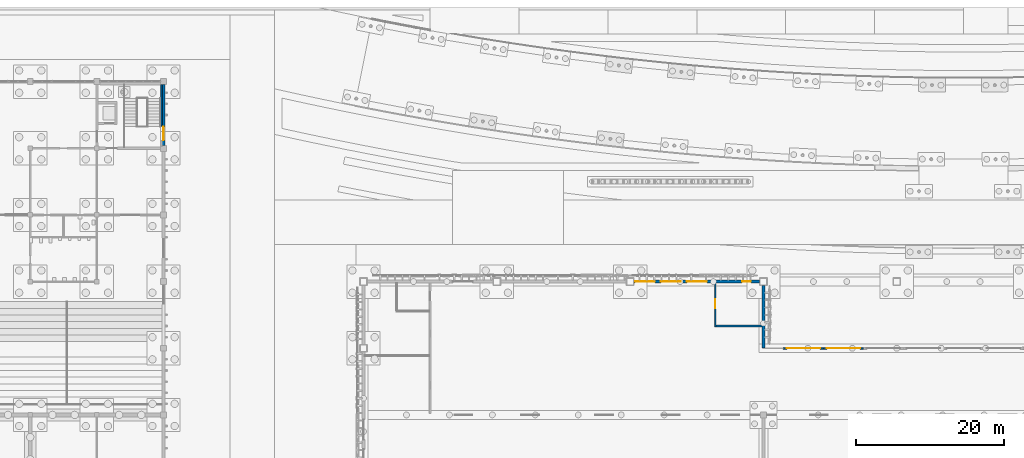
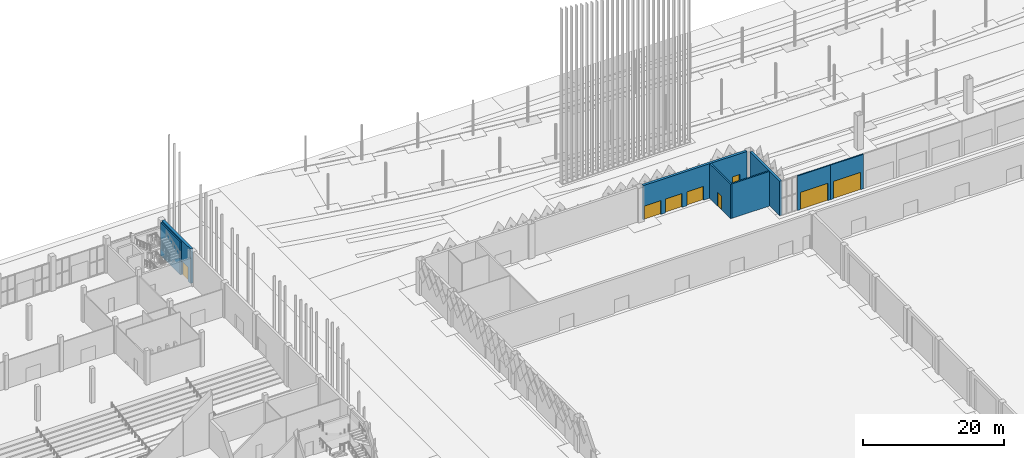
# One storey, part 94 of 198: 8 doors, 8 walls, 8 openings.
"""IFC4 building model written with IfcOpenShell, lengths in metres."""

from ifc_helpers import new_model, si_unit, direction, frame, frame_2d, origin, place, context, subcontext, project, spatial, rectangle, extrude, material, layer, layer_set, type_object, element, fill, save


model = new_model("IFC4")

# Units and contexts
model_context = context("Model", 3, precision=1e-05, world=origin(), true_north=direction((0.0, 1.0)))
body_context = subcontext(model_context, "Body", "Model", "MODEL_VIEW")
ifc_project = project(units=[si_unit("LENGTHUNIT", "METRE"), si_unit("AREAUNIT", "SQUARE_METRE"), si_unit("VOLUMEUNIT", "CUBIC_METRE"), si_unit("PLANEANGLEUNIT", "RADIAN"), si_unit("MASSUNIT", "GRAM", prefix="KILO")], contexts=[model_context])

# Site, building, storey
site_placement = place(None, origin())
site = spatial("IfcSite", under=ifc_project, at=site_placement, CompositionType="ELEMENT")
building_placement = place(site_placement, origin())
building = spatial("IfcBuilding", under=site, at=building_placement, Name="Opaline Strait Convention Centre", CompositionType="ELEMENT")
storey_placement = place(building_placement, origin())
storey = spatial("IfcBuildingStorey", under=building, at=storey_placement, Name="L00", CompositionType="ELEMENT", Elevation=0.0)

# Wall, opening, door
ifc_material_1 = material(Name="Aluminium framed glazing", Category="aluminium")
ifc_layer_1 = layer(ifc_material_1, 0.199951171875)
ifc_layer_set_1 = layer_set([ifc_layer_1], Name="Aluminium framed glazing")
wall_type_1 = type_object("IfcWallType", Name="Entrance frame wall 200", PredefinedType="STANDARD", material=ifc_layer_set_1)
wall_1_placement = place(storey_placement, frame((155.699951171875, 144.0, 0.0), z_axis=(0.0, 0.0, 1.0), x_axis=(1.0, 0.0, 0.0)))
wall_1 = element("IfcWall", 1, at=wall_1_placement, inside=storey, type_object=wall_type_1, Name="Entrance bay 1", PredefinedType="STANDARD", context=body_context, shape_type="SweptSolid", body=[
    extrude(rectangle(XDim=5.400146484375, YDim=0.199951171875, at=frame_2d((2.7001953125, 0.0))), origin(), (0.0, 0.0, 1.0), 6.0),
])
opening_1_placement = place(wall_1_placement, frame((0.449951171875, 0.0, 0.0)))
opening_1 = element("IfcOpeningElement", 2, at=opening_1_placement, cuts=wall_1, Name="Opening X0-001", PredefinedType="OPENING", context=body_context, shape_type="SweptSolid", body=[
    extrude(rectangle(XDim=4.5, YDim=3.0, at=frame_2d((2.25, 1.5))), frame((0.0, 0.10986328125, 0.0), z_axis=(0.0, -1.0, 0.0), x_axis=(1.0, 0.0, 0.0)), (0.0, 0.0, 1.0), 0.219970703125),
])
door_type_1 = type_object("IfcDoorType", Name="Automatic sliding entrance pair 4500 x 3000", OperationType="DOUBLE_DOOR_SLIDING", PredefinedType="DOOR", material=ifc_material_1)
door_1_placement = place(opening_1_placement, origin())
door_1 = element("IfcDoor", 3, at=door_1_placement, inside=storey, type_object=door_type_1, Name="Entrance sliding door 1", ObjectType="XD17", OperationType="DOUBLE_DOOR_SLIDING", OverallHeight=3.0, OverallWidth=4.5, PredefinedType="DOOR", context=body_context, shape_type="SweptSolid", body=[
    extrude(rectangle(XDim=4.5, YDim=3.0, at=frame_2d((2.25, 1.5))), frame((0.0, 0.02490234375, 0.0), z_axis=(0.0, -1.0, 0.0), x_axis=(1.0, 0.0, 0.0)), (0.0, 0.0, 1.0), 0.050048828125),
])
fill(opening_1, door_1)

wall_2_placement = place(storey_placement, frame((161.10009765625, 144.0, 0.0), z_axis=(0.0, 0.0, 1.0), x_axis=(1.0, 0.0, 0.0)))
wall_2 = element("IfcWall", 4, at=wall_2_placement, inside=storey, type_object=wall_type_1, Name="Entrance bay 2", PredefinedType="STANDARD", context=body_context, shape_type="SweptSolid", body=[
    extrude(rectangle(XDim=5.39990234375, YDim=0.199951171875, at=frame_2d((2.699951171875, 0.0))), origin(), (0.0, 0.0, 1.0), 6.0),
])
opening_2_placement = place(wall_2_placement, frame((0.449951171875, 0.0, 0.0)))
opening_2 = element("IfcOpeningElement", 5, at=opening_2_placement, cuts=wall_2, Name="Opening X0-002", PredefinedType="OPENING", context=body_context, shape_type="SweptSolid", body=[
    extrude(rectangle(XDim=4.5, YDim=3.0, at=frame_2d((2.25, 1.5))), frame((0.0, 0.10986328125, 0.0), z_axis=(0.0, -1.0, 0.0), x_axis=(1.0, 0.0, 0.0)), (0.0, 0.0, 1.0), 0.219970703125),
])
door_2_placement = place(opening_2_placement, origin())
door_2 = element("IfcDoor", 6, at=door_2_placement, inside=storey, type_object=door_type_1, Name="Entrance sliding door 2", ObjectType="XD17", OperationType="DOUBLE_DOOR_SLIDING", OverallHeight=3.0, OverallWidth=4.5, PredefinedType="DOOR", context=body_context, shape_type="SweptSolid", body=[
    extrude(rectangle(XDim=4.5, YDim=3.0, at=frame_2d((2.25, 1.5))), frame((0.0, 0.02490234375, 0.0), z_axis=(0.0, -1.0, 0.0), x_axis=(1.0, 0.0, 0.0)), (0.0, 0.0, 1.0), 0.050048828125),
])
fill(opening_2, door_2)

# Wall, openings, doors
ifc_material_2 = material(Name="Concrete C40", Category="concrete")
ifc_layer_2 = layer(ifc_material_2, 0.300048828125)
ifc_material_3 = material(Name="Mineral wool insulation")
ifc_layer_3 = layer(ifc_material_3, 0.050048828125)
ifc_material_4 = material(Name="Gypsum board lining")
ifc_layer_4 = layer(ifc_material_4, 0.050048828125)
ifc_layer_set_2 = layer_set([ifc_layer_2, ifc_layer_3, ifc_layer_4], Name="Concrete C40, Mineral wool insulation, Gypsum board lining")
wall_type_2 = type_object("IfcWallType", Name="External wall RC 400 stair core", PredefinedType="SOLIDWALL", material=ifc_layer_set_2)
wall_3_placement = place(storey_placement, frame((135.5, 153.0, 0.0), z_axis=(0.0, 0.0, 1.0), x_axis=(1.0, 0.0, 0.0)))
wall_3 = element("IfcWall", 7, at=wall_3_placement, inside=storey, type_object=wall_type_2, Name="External wall N3", PredefinedType="SOLIDWALL", context=body_context, shape_type="SweptSolid", body=[
    extrude(rectangle(XDim=17.0, YDim=0.39990234375, at=frame_2d((8.5, 0.0))), origin(), (0.0, 0.0, 1.0), 6.0),
])
opening_3_placement = place(wall_3_placement, frame((0.14990234375, 0.0, 0.0)))
opening_3 = element("IfcOpeningElement", 8, at=opening_3_placement, cuts=wall_3, Name="Opening X0-054", PredefinedType="OPENING", context=body_context, shape_type="SweptSolid", body=[
    extrude(rectangle(XDim=2.699951171875, YDim=2.39990234375, at=frame_2d((1.35009765625, 1.199951171875))), frame((0.0, 0.2099609375, 0.0), z_axis=(0.0, -1.0, 0.0), x_axis=(1.0, 0.0, 0.0)), (0.0, 0.0, 1.0), 0.419921875),
])
opening_4_placement = place(wall_3_placement, frame((3.64990234375, 0.0, 0.0)))
opening_4 = element("IfcOpeningElement", 9, at=opening_4_placement, cuts=wall_3, Name="Opening X0-055", PredefinedType="OPENING", context=body_context, shape_type="SweptSolid", body=[
    extrude(rectangle(XDim=2.699951171875, YDim=2.39990234375, at=frame_2d((1.35009765625, 1.199951171875))), frame((0.0, 0.2099609375, 0.0), z_axis=(0.0, -1.0, 0.0), x_axis=(1.0, 0.0, 0.0)), (0.0, 0.0, 1.0), 0.419921875),
])
opening_5_placement = place(wall_3_placement, frame((7.14990234375, 0.0, 0.0)))
opening_5 = element("IfcOpeningElement", 10, at=opening_5_placement, cuts=wall_3, Name="Opening X0-056", PredefinedType="OPENING", context=body_context, shape_type="SweptSolid", body=[
    extrude(rectangle(XDim=2.699951171875, YDim=2.39990234375, at=frame_2d((1.35009765625, 1.199951171875))), frame((0.0, 0.2099609375, 0.0), z_axis=(0.0, -1.0, 0.0), x_axis=(1.0, 0.0, 0.0)), (0.0, 0.0, 1.0), 0.419921875),
])
opening_6_placement = place(wall_3_placement, frame((14.612548828125, 0.0, 0.0)))
opening_6 = element("IfcOpeningElement", 11, at=opening_6_placement, cuts=wall_3, Name="Opening X0-110", PredefinedType="OPENING", context=body_context, shape_type="SweptSolid", body=[
    extrude(rectangle(XDim=1.199951171875, YDim=2.39990234375, at=frame_2d((0.60009765625, 1.199951171875))), frame((0.0, 0.2099609375, 0.0), z_axis=(0.0, -1.0, 0.0), x_axis=(1.0, 0.0, 0.0)), (0.0, 0.0, 1.0), 0.419921875),
])
ifc_material_5 = material(Name="Steel Q235B", Category="steel")
door_type_2 = type_object("IfcDoorType", Name="Control room door FD90 1200 x 2400", OperationType="SINGLE_SWING_LEFT", PredefinedType="DOOR", material=ifc_material_5)
door_3_placement = place(opening_6_placement, origin())
door_3 = element("IfcDoor", 12, at=door_3_placement, inside=storey, type_object=door_type_2, Name="Fire Control Room door to outside", ObjectType="XD14", OperationType="SINGLE_SWING_RIGHT", OverallHeight=2.39990234375, OverallWidth=1.199951171875, PredefinedType="DOOR", context=body_context, shape_type="SweptSolid", body=[
    extrude(rectangle(XDim=1.199951171875, YDim=2.39990234375, at=frame_2d((0.60009765625, 1.199951171875))), frame((0.0, 0.02490234375, 0.0), z_axis=(0.0, -1.0, 0.0), x_axis=(1.0, 0.0, 0.0)), (0.0, 0.0, 1.0), 0.050048828125),
])
fill(opening_6, door_3)
door_type_3 = type_object("IfcDoorType", Name="Exit door pair 2700 x 2400", OperationType="DOUBLE_DOOR_SINGLE_SWING", PredefinedType="DOOR", material=ifc_material_5)
door_4_placement = place(opening_3_placement, origin())
door_4 = element("IfcDoor", 13, at=door_4_placement, inside=storey, type_object=door_type_3, Name="Foyer exit door 2", ObjectType="XD2", OperationType="DOUBLE_DOOR_SINGLE_SWING", OverallHeight=2.39990234375, OverallWidth=2.699951171875, PredefinedType="DOOR", context=body_context, shape_type="SweptSolid", body=[
    extrude(rectangle(XDim=2.699951171875, YDim=2.39990234375, at=frame_2d((1.35009765625, 1.199951171875))), frame((0.0, 0.02490234375, 0.0), z_axis=(0.0, -1.0, 0.0), x_axis=(1.0, 0.0, 0.0)), (0.0, 0.0, 1.0), 0.050048828125),
])
fill(opening_3, door_4)
door_5_placement = place(opening_4_placement, origin())
door_5 = element("IfcDoor", 14, at=door_5_placement, inside=storey, type_object=door_type_3, Name="Foyer exit door 3", ObjectType="XD2", OperationType="DOUBLE_DOOR_SINGLE_SWING", OverallHeight=2.39990234375, OverallWidth=2.699951171875, PredefinedType="DOOR", context=body_context, shape_type="SweptSolid", body=[
    extrude(rectangle(XDim=2.699951171875, YDim=2.39990234375, at=frame_2d((1.35009765625, 1.199951171875))), frame((0.0, 0.02490234375, 0.0), z_axis=(0.0, -1.0, 0.0), x_axis=(1.0, 0.0, 0.0)), (0.0, 0.0, 1.0), 0.050048828125),
])
fill(opening_4, door_5)
door_6_placement = place(opening_5_placement, origin())
door_6 = element("IfcDoor", 15, at=door_6_placement, inside=storey, type_object=door_type_3, Name="Foyer exit door 4", ObjectType="XD2", OperationType="DOUBLE_DOOR_SINGLE_SWING", OverallHeight=2.39990234375, OverallWidth=2.699951171875, PredefinedType="DOOR", context=body_context, shape_type="SweptSolid", body=[
    extrude(rectangle(XDim=2.699951171875, YDim=2.39990234375, at=frame_2d((1.35009765625, 1.199951171875))), frame((0.0, 0.02490234375, 0.0), z_axis=(0.0, -1.0, 0.0), x_axis=(1.0, 0.0, 0.0)), (0.0, 0.0, 1.0), 0.050048828125),
])
fill(opening_5, door_6)

# Wall
wall_4_placement = place(storey_placement, frame((153.0, 144.030029296875, 0.0), z_axis=(0.0, 0.0, 1.0), x_axis=(0.0, 1.0, 0.0)))
element("IfcWall", 16, at=wall_4_placement, inside=storey, type_object=wall_type_2, Name="Recess side wall W", PredefinedType="SOLIDWALL", context=body_context, shape_type="SweptSolid", body=[
    extrude(rectangle(XDim=8.469970703125, YDim=0.39990234375, at=frame_2d((4.23486328125, 0.0))), origin(), (0.0, 0.0, 1.0), 6.0),
])

# Wall, opening, door
ifc_material_6 = material(Name="Lightweight blockwork", Category="masonry")
ifc_layer_5 = layer(ifc_material_6, 0.25)
ifc_layer_set_3 = layer_set([ifc_layer_5], Name="Lightweight blockwork")
wall_type_3 = type_object("IfcWallType", Name="Partition EI 120 blockwork 250", PredefinedType="PARTITIONING", material=ifc_layer_set_3)
wall_5_placement = place(storey_placement, frame((146.5, 146.875, 0.0), z_axis=(0.0, 0.0, 1.0), x_axis=(0.0, 1.0, 0.0)))
wall_5 = element("IfcWall", 17, at=wall_5_placement, inside=storey, type_object=wall_type_3, Name="Fire control room west wall", PredefinedType="PARTITIONING", context=body_context, shape_type="SweptSolid", body=[
    extrude(rectangle(XDim=5.925048828125, YDim=0.25, at=frame_2d((2.96240234375, 0.0))), origin(), (0.0, 0.0, 1.0), 6.0),
])
opening_7_placement = place(wall_5_placement, frame((2.52490234375, 0.0, 0.014892578125)))
opening_7 = element("IfcOpeningElement", 18, at=opening_7_placement, cuts=wall_5, Name="Opening X0-109", PredefinedType="OPENING", context=body_context, shape_type="SweptSolid", body=[
    extrude(rectangle(XDim=1.199951171875, YDim=2.39990234375, at=frame_2d((0.60009765625, 1.199951171875))), frame((0.0, 0.135009765625, 0.0), z_axis=(0.0, -1.0, 0.0), x_axis=(1.0, 0.0, 0.0)), (0.0, 0.0, 1.0), 0.27001953125),
])
door_7_placement = place(opening_7_placement, origin())
door_7 = element("IfcDoor", 19, at=door_7_placement, inside=storey, type_object=door_type_2, Name="Fire Control Room door to foyer", ObjectType="XD14", OperationType="SINGLE_SWING_RIGHT", OverallHeight=2.39990234375, OverallWidth=1.199951171875, PredefinedType="DOOR", context=body_context, shape_type="SweptSolid", body=[
    extrude(rectangle(XDim=1.199951171875, YDim=2.39990234375, at=frame_2d((0.60009765625, 1.199951171875))), frame((0.0, 0.02490234375, 0.0), z_axis=(0.0, -1.0, 0.0), x_axis=(1.0, 0.0, 0.0)), (0.0, 0.0, 1.0), 0.050048828125),
])
fill(opening_7, door_7)

# Wall
wall_6_placement = place(storey_placement, frame((146.625, 147.0, 0.0), z_axis=(0.0, 0.0, 1.0), x_axis=(1.0, 0.0, 0.0)))
element("IfcWall", 20, at=wall_6_placement, inside=storey, type_object=wall_type_3, Name="Fire control room south wall", PredefinedType="PARTITIONING", context=body_context, shape_type="SweptSolid", body=[
    extrude(rectangle(XDim=6.175048828125, YDim=0.25, at=frame_2d((3.08740234375, 0.0))), origin(), (0.0, 0.0, 1.0), 6.0),
])

# Wall, opening, door
ifc_layer_6 = layer(ifc_material_2, 0.320068359375)
ifc_layer_7 = layer(ifc_material_3, 0.050048828125)
ifc_layer_8 = layer(ifc_material_4, 0.030029296875)
ifc_layer_set_4 = layer_set([ifc_layer_6, ifc_layer_7, ifc_layer_8], Name="Concrete C40, Mineral wool insulation, Gypsum board lining")
wall_type_4 = type_object("IfcWallType", Name="RC external wall 400 C40", PredefinedType="SOLIDWALL", material=ifc_layer_set_4)
wall_7_placement = place(storey_placement, frame((72.0, 171.39990234375, 0.0), z_axis=(0.0, 0.0, 1.0), x_axis=(0.0, 1.0, 0.0)))
wall_7 = element("IfcWall", 21, at=wall_7_placement, inside=storey, type_object=wall_type_4, Name="PW1 east wall L00 9/V-9/W", PredefinedType="SOLIDWALL", context=body_context, shape_type="SweptSolid", body=[
    extrude(rectangle(XDim=8.2001953125, YDim=0.39990234375, at=frame_2d((4.10009765625, 0.0))), origin(), (0.0, 0.0, 1.0), 6.0),
])
opening_8_placement = place(wall_7_placement, frame((0.699951171875, 0.0, 0.0)))
opening_8 = element("IfcOpeningElement", 22, at=opening_8_placement, cuts=wall_7, Name="Opening P0-011", PredefinedType="OPENING", context=body_context, shape_type="SweptSolid", body=[
    extrude(rectangle(XDim=1.800048828125, YDim=2.39990234375, at=frame_2d((0.89990234375, 1.199951171875))), frame((0.0, 0.2099609375, 0.0), z_axis=(0.0, -1.0, 0.0), x_axis=(1.0, 0.0, 0.0)), (0.0, 0.0, 1.0), 0.419921875),
])
door_type_4 = type_object("IfcDoorType", Name="Exit double door 1800 x 2400", OperationType="DOUBLE_DOOR_SINGLE_SWING", PredefinedType="DOOR", material=ifc_material_5)
door_8_placement = place(opening_8_placement, frame((1.800048828125, 0.0, 0.0), z_axis=(0.0, 0.0, 1.0), x_axis=(-1.0, 0.0, 0.0)))
door_8 = element("IfcDoor", 23, at=door_8_placement, inside=storey, type_object=door_type_4, Name="Foyer stair exit east", ObjectType="PD3", OperationType="DOUBLE_DOOR_SINGLE_SWING", OverallHeight=2.39990234375, OverallWidth=1.800048828125, PredefinedType="DOOR", context=body_context, shape_type="SweptSolid", body=[
    extrude(rectangle(XDim=1.800048828125, YDim=2.39990234375, at=frame_2d((0.89990234375, 1.199951171875))), frame((0.0, 0.02490234375, 0.0), z_axis=(0.0, -1.0, 0.0), x_axis=(1.0, 0.0, 0.0)), (0.0, 0.0, 1.0), 0.050048828125),
])
fill(opening_8, door_8)

# Wall
ifc_layer_9 = layer(ifc_material_2, 0.199951171875)
ifc_layer_set_5 = layer_set([ifc_layer_9], Name="Concrete C40")
wall_type_5 = type_object("IfcWallType", Name="RC stair lining wall 200 C40", PredefinedType="SOLIDWALL", material=ifc_layer_set_5)
wall_8_placement = place(storey_placement, frame((71.699951171875, 174.0, 0.0), z_axis=(0.0, 0.0, 1.0), x_axis=(0.0, 1.0, 0.0)))
element("IfcWall", 24, at=wall_8_placement, inside=storey, type_object=wall_type_5, Name="PW14 L00 NE stair lining wall 2", PredefinedType="SOLIDWALL", context=body_context, shape_type="SweptSolid", body=[
    extrude(rectangle(XDim=5.60009765625, YDim=0.199951171875, at=frame_2d((2.800048828125, 0.0))), origin(), (0.0, 0.0, 1.0), 5.719970703125),
])

save(model, "model.ifc")
